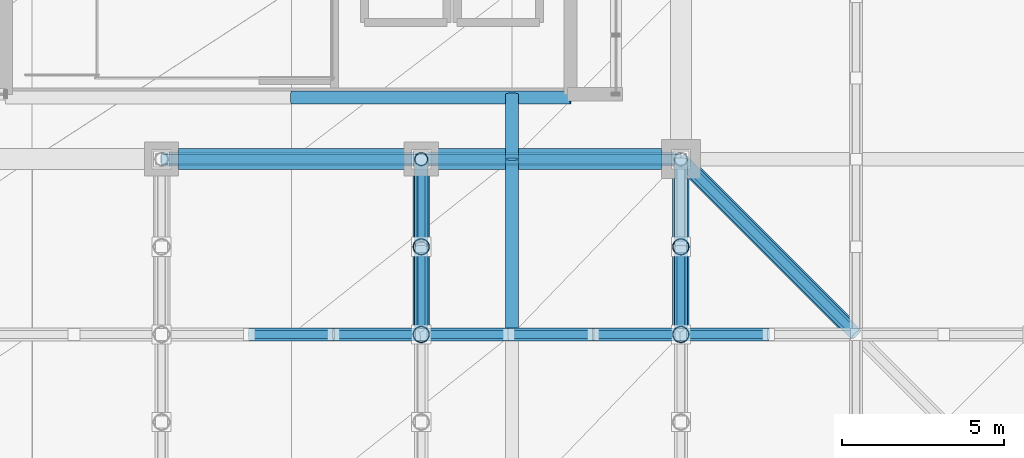
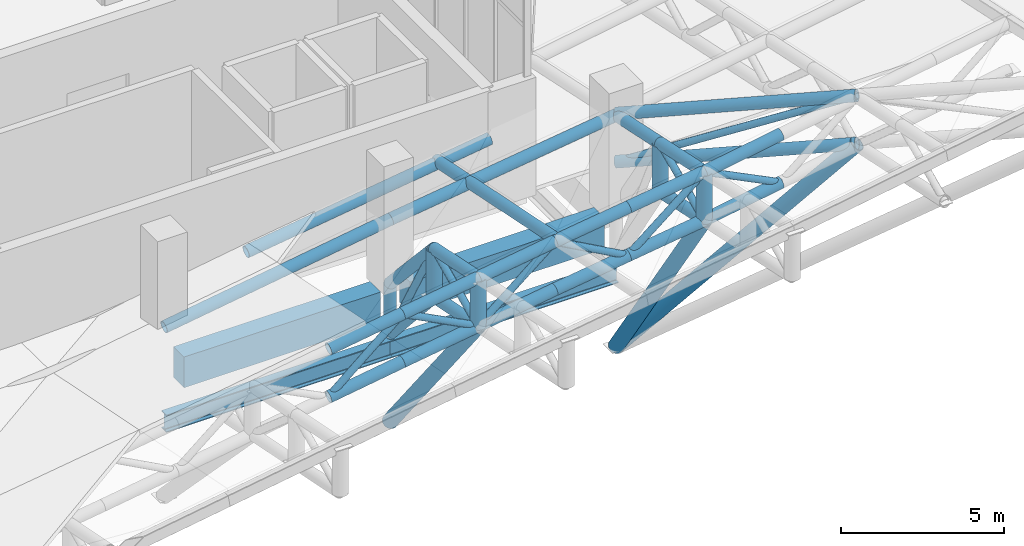
# One storey, part 62 of 137: 44 members, 4 beams.
"""IFC4 building model written with IfcOpenShell, lengths in metres."""

from ifc_helpers import new_model, si_unit, direction, frame, origin, origin_2d, place, context, subcontext, project, spatial, rectangle, hollow_circle, i_section, extrude, material, material_profile, profile_set, type_object, element, save


model = new_model("IFC4")

# Units and contexts
model_context = context("Model", 3, precision=1e-05, world=origin(), true_north=direction((0.0, 1.0)))
body_context = subcontext(model_context, "Body", "Model", "MODEL_VIEW")
ifc_project = project(units=[si_unit("LENGTHUNIT", "METRE"), si_unit("AREAUNIT", "SQUARE_METRE"), si_unit("VOLUMEUNIT", "CUBIC_METRE"), si_unit("PLANEANGLEUNIT", "RADIAN"), si_unit("MASSUNIT", "GRAM", prefix="KILO")], contexts=[model_context])

# Site, building, storey
site_placement = place(None, origin())
site = spatial("IfcSite", under=ifc_project, at=site_placement, CompositionType="ELEMENT")
building_placement = place(site_placement, origin())
building = spatial("IfcBuilding", under=site, at=building_placement, Name="Khorjan Park Terminus", CompositionType="ELEMENT")
storey_placement = place(building_placement, frame((0.0, 0.0, 11.4)))
storey = spatial("IfcBuildingStorey", under=building, at=storey_placement, Name="L02", CompositionType="ELEMENT", Elevation=11.4)

# Members
ifc_material_1 = material(Name="Steel S355", Category="steel")
ifc_material_profile_1 = material_profile(ifc_material_1, hollow_circle(Radius=0.1222, WallThickness=0.0125, at=origin_2d()), Name="CHS 244.5x12.5")
ifc_profile_set_1 = profile_set([ifc_material_profile_1], Name="Steel S355")
member_type_1 = type_object("IfcMemberType", Name="MB-BRE-245", PredefinedType="BRACE", material=ifc_profile_set_1)
member_1_placement = place(storey_placement, frame((128.0, 20.6, 1.6383), z_axis=(0.0, 0.907595020085, 0.419846733365), x_axis=(-1.0, 0.0, 0.0)))
element("IfcMember", 1, at=member_1_placement, inside=storey, type_object=member_type_1, Name="Lower shell cantilever truss diagonal (11S)", PredefinedType="BRACE", context=body_context, shape_type="SweptSolid", body=[
    extrude(hollow_circle(Radius=0.1222, WallThickness=0.0125, at=origin_2d()), origin(), (0.0, 0.0, 1.0), 2.9749),
])
member_2_placement = place(storey_placement, frame((128.0, 23.3, 2.8873), z_axis=(0.0, 0.489695395281, -0.871893582865), x_axis=(-1.0, 0.0, 0.0)))
element("IfcMember", 2, at=member_2_placement, inside=storey, type_object=member_type_1, Name="Lower shell cantilever truss diagonal (11S)", PredefinedType="BRACE", context=body_context, shape_type="SweptSolid", body=[
    extrude(hollow_circle(Radius=0.1222, WallThickness=0.0125, at=origin_2d()), origin(), (0.0, 0.0, 1.0), 5.5136),
])
member_3_placement = place(storey_placement, frame((136.0, 20.6, 2.7935), z_axis=(0.0, 0.910426516303, 0.413670833408), x_axis=(-1.0, 0.0, 0.0)))
element("IfcMember", 3, at=member_3_placement, inside=storey, type_object=member_type_1, Name="Lower shell cantilever truss diagonal (12S)", PredefinedType="BRACE", context=body_context, shape_type="SweptSolid", body=[
    extrude(hollow_circle(Radius=0.1222, WallThickness=0.0125, at=origin_2d()), origin(), (0.0, 0.0, 1.0), 2.9656),
])
member_4_placement = place(storey_placement, frame((122.7, 20.6, 0.8265), z_axis=(0.762734942907, 0.0, 0.646711223707), x_axis=(0.0, 1.0, 0.0)))
element("IfcMember", 4, at=member_4_placement, inside=storey, type_object=member_type_1, Name="Lower shell mid-ring diagonal (S33)", PredefinedType="BRACE", context=body_context, shape_type="SweptSolid", body=[
    extrude(hollow_circle(Radius=0.1222, WallThickness=0.0125, at=origin_2d()), origin(), (0.0, 0.0, 1.0), 3.4088),
])
member_5_placement = place(storey_placement, frame((125.3, 20.6, 3.031), z_axis=(0.888734443095, 0.0, -0.458422392185), x_axis=(0.0, 1.0, 0.0)))
element("IfcMember", 5, at=member_5_placement, inside=storey, type_object=member_type_1, Name="Lower shell mid-ring diagonal (S34)", PredefinedType="BRACE", context=body_context, shape_type="SweptSolid", body=[
    extrude(hollow_circle(Radius=0.1222, WallThickness=0.0125, at=origin_2d()), origin(), (0.0, 0.0, 1.0), 3.038),
])
member_6_placement = place(storey_placement, frame((128.0, 20.6, 1.6383), z_axis=(0.774208919851, 0.0, 0.63293012918), x_axis=(0.0, 1.0, 0.0)))
element("IfcMember", 6, at=member_6_placement, inside=storey, type_object=member_type_1, Name="Lower shell mid-ring diagonal (S35)", PredefinedType="BRACE", context=body_context, shape_type="SweptSolid", body=[
    extrude(hollow_circle(Radius=0.1222, WallThickness=0.0125, at=origin_2d()), origin(), (0.0, 0.0, 1.0), 3.4874),
])
member_7_placement = place(storey_placement, frame((130.7, 20.6, 3.8456), z_axis=(0.875845811731, 0.0, -0.482591042264), x_axis=(0.0, 1.0, 0.0)))
element("IfcMember", 7, at=member_7_placement, inside=storey, type_object=member_type_1, Name="Lower shell mid-ring diagonal (S36)", PredefinedType="BRACE", context=body_context, shape_type="SweptSolid", body=[
    extrude(hollow_circle(Radius=0.1222, WallThickness=0.0125, at=origin_2d()), origin(), (0.0, 0.0, 1.0), 2.9686),
])
member_8_placement = place(storey_placement, frame((133.3, 20.6, 2.413), z_axis=(0.777979098787, 0.0, 0.628290157372), x_axis=(0.0, 1.0, 0.0)))
element("IfcMember", 8, at=member_8_placement, inside=storey, type_object=member_type_1, Name="Lower shell mid-ring diagonal (S37)", PredefinedType="BRACE", context=body_context, shape_type="SweptSolid", body=[
    extrude(hollow_circle(Radius=0.1222, WallThickness=0.0125, at=origin_2d()), origin(), (0.0, 0.0, 1.0), 3.4705),
])
member_9_placement = place(storey_placement, frame((136.0, 20.6, 4.5935), z_axis=(0.895485989032, 0.0, -0.445089702697), x_axis=(0.0, 1.0, 0.0)))
element("IfcMember", 9, at=member_9_placement, inside=storey, type_object=member_type_1, Name="Lower shell mid-ring diagonal (S38)", PredefinedType="BRACE", context=body_context, shape_type="SweptSolid", body=[
    extrude(hollow_circle(Radius=0.1222, WallThickness=0.0125, at=origin_2d()), origin(), (0.0, 0.0, 1.0), 3.0151),
])
member_10_placement = place(storey_placement, frame((136.0, 26.0, 1.6951), z_axis=(0.630990520592, -0.630990520592, 0.451333497368), x_axis=(0.707106781187, 0.707106781187, 0.0)))
element("IfcMember", 10, at=member_10_placement, inside=storey, type_object=member_type_1, Name="Lower shell upturned corner truss TBE-24 (SE)", PredefinedType="BRACE", context=body_context, shape_type="SweptSolid", body=[
    extrude(hollow_circle(Radius=0.1222, WallThickness=0.0125, at=origin_2d()), origin(), (0.0, 0.0, 1.0), 8.558),
])
ifc_material_profile_2 = material_profile(ifc_material_1, hollow_circle(Radius=0.2032, WallThickness=0.016, at=origin_2d()), Name="CHS 406.4x16")
ifc_profile_set_2 = profile_set([ifc_material_profile_2], Name="Steel S355")
member_type_2 = type_object("IfcMemberType", Name="MB-CH-406", PredefinedType="CHORD", material=ifc_profile_set_2)
member_11_placement = place(storey_placement, frame((124.0, 27.9, 1.3708), z_axis=(0.99002785262, 0.0, 0.140871753866), x_axis=(0.0, 1.0, 0.0)))
element("IfcMember", 11, at=member_11_placement, inside=storey, type_object=member_type_2, Name="Lower wrapping shell rim chord (85)", PredefinedType="CHORD", context=body_context, shape_type="SweptSolid", body=[
    extrude(hollow_circle(Radius=0.2032, WallThickness=0.016, at=origin_2d()), origin(), (0.0, 0.0, 1.0), 8.6866),
])
member_12_placement = place(storey_placement, frame((130.8, 26.0, 2.7587), z_axis=(0.0, 0.979800532757, -0.199977288736), x_axis=(-1.0, 0.0, 0.0)))
element("IfcMember", 12, at=member_12_placement, inside=storey, type_object=member_type_2, Name="Lower wrapping shell rim chord (140)", PredefinedType="CHORD", context=body_context, shape_type="SweptSolid", body=[
    extrude(hollow_circle(Radius=0.2032, WallThickness=0.016, at=origin_2d()), origin(), (0.0, 0.0, 1.0), 2.0412),
])
ifc_material_profile_3 = material_profile(ifc_material_1, hollow_circle(Radius=0.2032, WallThickness=0.016, at=origin_2d()), Name="CHS 406.4x16")
ifc_profile_set_3 = profile_set([ifc_material_profile_3], Name="Steel S355")
member_type_3 = type_object("IfcMemberType", Name="MB-CHE-406", PredefinedType="CHORD", material=ifc_profile_set_3)
member_13_placement = place(storey_placement, frame((120.0, 26.0, 1.1108), z_axis=(0.988324662192, 0.0, 0.152362600735), x_axis=(0.0, 1.0, 0.0)))
element("IfcMember", 13, at=member_13_placement, inside=storey, type_object=member_type_3, Name="Lower wrapping shell rim chord (68)", PredefinedType="CHORD", context=body_context, shape_type="SweptSolid", body=[
    extrude(hollow_circle(Radius=0.2032, WallThickness=0.016, at=origin_2d()), origin(), (0.0, 0.0, 1.0), 8.0945),
])
member_14_placement = place(storey_placement, frame((128.0, 26.0, 2.3441), z_axis=(0.990628641265, 0.0, 0.136582923914), x_axis=(0.0, 1.0, 0.0)))
element("IfcMember", 14, at=member_14_placement, inside=storey, type_object=member_type_3, Name="Lower wrapping shell rim chord (69)", PredefinedType="CHORD", context=body_context, shape_type="SweptSolid", body=[
    extrude(hollow_circle(Radius=0.2032, WallThickness=0.016, at=origin_2d()), origin(), (0.0, 0.0, 1.0), 8.0757),
])
member_15_placement = place(storey_placement, frame((130.8, 20.6, 3.8607), z_axis=(0.0, 0.979805509738, -0.199952902172), x_axis=(-1.0, 0.0, 0.0)))
element("IfcMember", 15, at=member_15_placement, inside=storey, type_object=member_type_3, Name="Lower wrapping shell rim chord (139)", PredefinedType="CHORD", context=body_context, shape_type="SweptSolid", body=[
    extrude(hollow_circle(Radius=0.2032, WallThickness=0.016, at=origin_2d()), origin(), (0.0, 0.0, 1.0), 5.5113),
])
member_16_placement = place(storey_placement, frame((136.0, 20.6, 4.5935), z_axis=(0.0, 0.978199346233, -0.207668098245), x_axis=(-1.0, 0.0, 0.0)))
element("IfcMember", 16, at=member_16_placement, inside=storey, type_object=member_type_3, Name="Lower wrapping shell rim chord (151)", PredefinedType="CHORD", context=body_context, shape_type="SweptSolid", body=[
    extrude(hollow_circle(Radius=0.2032, WallThickness=0.016, at=origin_2d()), origin(), (0.0, 0.0, 1.0), 5.5203),
])
for number, where, z_axis, x_axis, name in (
    (17, (128.0, 20.6, 3.4383), (0.0, 0.979805509738, -0.199952902172), (-1.0, 0.0, 0.0), "Lower shell cantilever truss top chord (11S)"),
    (18, (128.0, 20.6, 1.6383), (0.0, 0.979805509738, -0.199952902172), (-1.0, 0.0, 0.0), "Lower shell cantilever truss bottom chord (11S)"),
):
    element("IfcMember", number, at=place(storey_placement, frame(where, z_axis=z_axis, x_axis=x_axis)), inside=storey, type_object=member_type_3, Name=name, PredefinedType="CHORD", context=body_context, shape_type="SweptSolid", body=[
        extrude(hollow_circle(Radius=0.2032, WallThickness=0.016, at=origin_2d()), origin(), (0.0, 0.0, 1.0), 2.7556),
    ])
member_17_placement = place(storey_placement, frame((128.0, 23.3, 2.8873), z_axis=(0.0, 0.676742076537, -0.736220185708), x_axis=(-1.0, 0.0, 0.0)))
element("IfcMember", 19, at=member_17_placement, inside=storey, type_object=member_type_3, Name="Lower shell cantilever truss top chord (11S)", PredefinedType="CHORD", context=body_context, shape_type="SweptSolid", body=[
    extrude(hollow_circle(Radius=0.2032, WallThickness=0.016, at=origin_2d()), origin(), (0.0, 0.0, 1.0), 3.9897),
])
member_18_placement = place(storey_placement, frame((128.0, 23.3, 1.0873), z_axis=(0.0, 0.668066106511, -0.744101926708), x_axis=(-1.0, 0.0, 0.0)))
element("IfcMember", 20, at=member_18_placement, inside=storey, type_object=member_type_3, Name="Lower shell cantilever truss bottom chord (11S)", PredefinedType="CHORD", context=body_context, shape_type="SweptSolid", body=[
    extrude(hollow_circle(Radius=0.2032, WallThickness=0.016, at=origin_2d()), origin(), (0.0, 0.0, 1.0), 4.0415),
])
for number, where, z_axis, x_axis, name in (
    (21, (136.0, 20.6, 4.5935), (0.0, 0.978199346233, -0.207668098245), (-1.0, 0.0, 0.0), "Lower shell cantilever truss top chord (12S)"),
    (22, (136.0, 20.6, 2.7935), (0.0, 0.978199346233, -0.207668098245), (-1.0, 0.0, 0.0), "Lower shell cantilever truss bottom chord (12S)"),
):
    element("IfcMember", number, at=place(storey_placement, frame(where, z_axis=z_axis, x_axis=x_axis)), inside=storey, type_object=member_type_3, Name=name, PredefinedType="CHORD", context=body_context, shape_type="SweptSolid", body=[
        extrude(hollow_circle(Radius=0.2032, WallThickness=0.016, at=origin_2d()), origin(), (0.0, 0.0, 1.0), 2.7602),
    ])
for number, where, z_axis, x_axis, name in (
    (23, (122.7, 20.6, 2.6265), (0.988113262008, 0.0, 0.153727620955), (0.0, 1.0, 0.0), "Lower shell mid-ring top chord (S33)"),
    (24, (122.7, 20.6, 0.8265), (0.988113262008, 0.0, 0.153727620955), (0.0, 1.0, 0.0), "Lower shell mid-ring bottom chord (S33)"),
):
    element("IfcMember", number, at=place(storey_placement, frame(where, z_axis=z_axis, x_axis=x_axis)), inside=storey, type_object=member_type_3, Name=name, PredefinedType="CHORD", context=body_context, shape_type="SweptSolid", body=[
        extrude(hollow_circle(Radius=0.2032, WallThickness=0.016, at=origin_2d()), origin(), (0.0, 0.0, 1.0), 2.6313),
    ])
for number, where, z_axis, x_axis, name in (
    (25, (125.3, 20.6, 3.031), (0.988812441783, 0.0, 0.149164187977), (0.0, 1.0, 0.0), "Lower shell mid-ring top chord (S34)"),
    (26, (125.3, 20.6, 1.231), (0.988812441783, 0.0, 0.149164187977), (0.0, 1.0, 0.0), "Lower shell mid-ring bottom chord (S34)"),
    (27, (128.0, 20.6, 3.4383), (0.988812441783, 0.0, 0.149164187977), (0.0, 1.0, 0.0), "Lower shell mid-ring top chord (S35)"),
    (28, (128.0, 20.6, 1.6383), (0.988812441783, 0.0, 0.149164187977), (0.0, 1.0, 0.0), "Lower shell mid-ring bottom chord (S35)"),
):
    element("IfcMember", number, at=place(storey_placement, frame(where, z_axis=z_axis, x_axis=x_axis)), inside=storey, type_object=member_type_3, Name=name, PredefinedType="CHORD", context=body_context, shape_type="SweptSolid", body=[
        extrude(hollow_circle(Radius=0.2032, WallThickness=0.016, at=origin_2d()), origin(), (0.0, 0.0, 1.0), 2.7305),
    ])
for number, where, z_axis, x_axis, name in (
    (29, (130.7, 20.6, 3.8456), (0.990163141127, 0.0, 0.139917668481), (0.0, 1.0, 0.0), "Lower shell mid-ring top chord (S36)"),
    (30, (130.7, 20.6, 2.0456), (0.990163141127, 0.0, 0.139917668481), (0.0, 1.0, 0.0), "Lower shell mid-ring bottom chord (S36)"),
):
    element("IfcMember", number, at=place(storey_placement, frame(where, z_axis=z_axis, x_axis=x_axis)), inside=storey, type_object=member_type_3, Name=name, PredefinedType="CHORD", context=body_context, shape_type="SweptSolid", body=[
        extrude(hollow_circle(Radius=0.2032, WallThickness=0.016, at=origin_2d()), origin(), (0.0, 0.0, 1.0), 2.6258),
    ])
for number, where, z_axis, x_axis, name in (
    (31, (133.3, 20.6, 4.213), (0.99021544467, 0.0, 0.139547028406), (0.0, 1.0, 0.0), "Lower shell mid-ring top chord (S37)"),
    (32, (133.3, 20.6, 2.413), (0.99021544467, 0.0, 0.139547028406), (0.0, 1.0, 0.0), "Lower shell mid-ring bottom chord (S37)"),
):
    element("IfcMember", number, at=place(storey_placement, frame(where, z_axis=z_axis, x_axis=x_axis)), inside=storey, type_object=member_type_3, Name=name, PredefinedType="CHORD", context=body_context, shape_type="SweptSolid", body=[
        extrude(hollow_circle(Radius=0.2032, WallThickness=0.016, at=origin_2d()), origin(), (0.0, 0.0, 1.0), 2.7267),
    ])
for number, where, z_axis, x_axis, name in (
    (33, (136.0, 20.6, 4.5935), (0.985916115378, 0.0, 0.167240585497), (0.0, 1.0, 0.0), "Lower shell mid-ring top chord (S38)"),
    (34, (136.0, 20.6, 2.7935), (0.985916115378, 0.0, 0.167240585497), (0.0, 1.0, 0.0), "Lower shell mid-ring bottom chord (S38)"),
):
    element("IfcMember", number, at=place(storey_placement, frame(where, z_axis=z_axis, x_axis=x_axis)), inside=storey, type_object=member_type_3, Name=name, PredefinedType="CHORD", context=body_context, shape_type="SweptSolid", body=[
        extrude(hollow_circle(Radius=0.2032, WallThickness=0.016, at=origin_2d()), origin(), (0.0, 0.0, 1.0), 2.7386),
    ])
for number, where, z_axis, x_axis, name in (
    (35, (136.0, 26.0, 3.4951), (0.682648477932, -0.682648477932, 0.260733793655), (0.707106781187, 0.707106781187, 0.0), "Lower shell upturned corner truss TCE-41 (SE)"),
    (36, (136.0, 26.0, 1.6951), (0.682648477932, -0.682648477932, 0.260733793655), (0.707106781187, 0.707106781187, 0.0), "Lower shell upturned corner truss TCE-41 (SE)"),
):
    element("IfcMember", number, at=place(storey_placement, frame(where, z_axis=z_axis, x_axis=x_axis)), inside=storey, type_object=member_type_3, Name=name, PredefinedType="CHORD", context=body_context, shape_type="SweptSolid", body=[
        extrude(hollow_circle(Radius=0.2032, WallThickness=0.016, at=origin_2d()), origin(), (0.0, 0.0, 1.0), 7.9104),
    ])
ifc_material_profile_4 = material_profile(ifc_material_1, hollow_circle(Radius=0.2032, WallThickness=0.016, at=origin_2d()), Name="CHS 406.4x16")
ifc_profile_set_4 = profile_set([ifc_material_profile_4], Name="Steel S355")
member_type_4 = type_object("IfcMemberType", Name="MB-ST-406", PredefinedType="STRUT", material=ifc_profile_set_4)
member_19_placement = place(storey_placement, frame((128.0, 26.0, -1.92), z_axis=(0.0, 0.0, 1.0), x_axis=(1.0, 0.0, 0.0)))
element("IfcMember", 37, at=member_19_placement, inside=storey, type_object=member_type_4, Name="Lower shell cantilever truss post (11S)", PredefinedType="STRUT", context=body_context, shape_type="SweptSolid", body=[
    extrude(hollow_circle(Radius=0.2032, WallThickness=0.016, at=origin_2d()), origin(), (0.0, 0.0, 1.0), 1.87),
])
ifc_material_profile_5 = material_profile(ifc_material_1, hollow_circle(Radius=0.254, WallThickness=0.02, at=origin_2d()), Name="CHS 508x20")
ifc_profile_set_5 = profile_set([ifc_material_profile_5], Name="Steel S355")
member_type_5 = type_object("IfcMemberType", Name="MB-STE-508", PredefinedType="STRUT", material=ifc_profile_set_5)
for number, where, z_axis, x_axis, name in (
    (38, (128.0, 20.6, 1.6383), (0.0, 0.0, 1.0), (1.0, 0.0, 0.0), "Lower shell cantilever truss post (11S)"),
    (39, (128.0, 23.3, 1.0873), (0.0, 0.0, 1.0), (1.0, 0.0, 0.0), "Lower shell cantilever truss post (11S)"),
):
    element("IfcMember", number, at=place(storey_placement, frame(where, z_axis=z_axis, x_axis=x_axis)), inside=storey, type_object=member_type_5, Name=name, PredefinedType="STRUT", context=body_context, shape_type="SweptSolid", body=[
        extrude(hollow_circle(Radius=0.254, WallThickness=0.02, at=origin_2d()), origin(), (0.0, 0.0, 1.0), 1.8),
    ])
member_20_placement = place(storey_placement, frame((128.0, 26.0, -5.2), z_axis=(0.0, -0.619739172064, 0.784807848208), x_axis=(1.0, 0.0, 0.0)))
element("IfcMember", 40, at=member_20_placement, inside=storey, type_object=member_type_5, Name="Lower shell raked overhang V-strut STE-51 (11S)", PredefinedType="STRUT", context=body_context, shape_type="SweptSolid", body=[
    extrude(hollow_circle(Radius=0.254, WallThickness=0.02, at=origin_2d()), origin(), (0.0, 0.0, 1.0), 8.7133),
])
for number, where, z_axis, x_axis, name in (
    (41, (136.0, 20.6, 2.7935), (0.0, 0.0, 1.0), (1.0, 0.0, 0.0), "Lower shell cantilever truss post (12S)"),
    (42, (136.0, 23.3, 2.2203), (0.0, 0.0, 1.0), (1.0, 0.0, 0.0), "Lower shell cantilever truss post (12S)"),
):
    element("IfcMember", number, at=place(storey_placement, frame(where, z_axis=z_axis, x_axis=x_axis)), inside=storey, type_object=member_type_5, Name=name, PredefinedType="STRUT", context=body_context, shape_type="SweptSolid", body=[
        extrude(hollow_circle(Radius=0.254, WallThickness=0.02, at=origin_2d()), origin(), (0.0, 0.0, 1.0), 1.8),
    ])
member_21_placement = place(storey_placement, frame((136.0, 26.0, -5.2), z_axis=(0.0, -0.559785275898, 0.82863770424), x_axis=(1.0, 0.0, 0.0)))
element("IfcMember", 43, at=member_21_placement, inside=storey, type_object=member_type_5, Name="Lower shell raked overhang V-strut STE-51 (12S)", PredefinedType="STRUT", context=body_context, shape_type="SweptSolid", body=[
    extrude(hollow_circle(Radius=0.254, WallThickness=0.02, at=origin_2d()), origin(), (0.0, 0.0, 1.0), 9.6466),
])
member_22_placement = place(storey_placement, frame((136.0, 26.0, -5.2), z_axis=(0.458750995878, -0.458750995878, 0.760982948273), x_axis=(0.707106781187, 0.707106781187, 0.0)))
element("IfcMember", 44, at=member_22_placement, inside=storey, type_object=member_type_5, Name="Lower shell upturned corner truss STE-51 (SE)", PredefinedType="STRUT", context=body_context, shape_type="SweptSolid", body=[
    extrude(hollow_circle(Radius=0.254, WallThickness=0.02, at=origin_2d()), origin(), (0.0, 0.0, 1.0), 11.7711),
])

# Beams
ifc_material_profile_6 = material_profile(ifc_material_1, i_section(OverallWidth=0.3, OverallDepth=0.65, WebThickness=0.016, FlangeThickness=0.031, FilletRadius=0.027, at=origin_2d()), Name="HEB 650")
ifc_profile_set_6 = profile_set([ifc_material_profile_6], Name="Steel S355")
beam_type_1 = type_object("IfcBeamType", Name="SP-HEB650E", PredefinedType="SPANDREL", material=ifc_profile_set_6)
for number, where, z_axis, x_axis, name in (
    (45, (120.0, 26.0, -2.425), (1.0, 0.0, 0.0), (0.0, 1.0, 0.0), "Lower shell truss support girder SP-E65 (X10)"),
    (46, (128.0, 26.0, -2.425), (1.0, 0.0, 0.0), (0.0, 1.0, 0.0), "Lower shell truss support girder SP-E65 (X11)"),
):
    element("IfcBeam", number, at=place(storey_placement, frame(where, z_axis=z_axis, x_axis=x_axis)), inside=storey, type_object=beam_type_1, Name=name, PredefinedType="SPANDREL", context=body_context, shape_type="SweptSolid", body=[
        extrude(i_section(OverallWidth=0.3, OverallDepth=0.65, WebThickness=0.016, FlangeThickness=0.031, FilletRadius=0.027, at=origin_2d()), origin(), (0.0, 0.0, 1.0), 8.0),
    ])
ifc_material_2 = material(Name="Concrete C50/60", Category="concrete")
ifc_material_profile_7 = material_profile(ifc_material_2, rectangle(XDim=0.65, YDim=1.15, at=origin_2d()), Name="RC 650x1150")
ifc_profile_set_7 = profile_set([ifc_material_profile_7], Name="Concrete C50/60")
beam_type_2 = type_object("IfcBeamType", Name="SP-RC650x1150", PredefinedType="SPANDREL", material=ifc_profile_set_7)
beam_1_placement = place(storey_placement, frame((120.52, 26.0, -0.575), z_axis=(1.0, 0.0, 0.0), x_axis=(0.0, 1.0, 0.0)))
element("IfcBeam", 47, at=beam_1_placement, inside=storey, type_object=beam_type_2, Name="Concourse lower colonnade ring beam SP-11 (L02-55)", PredefinedType="SPANDREL", context=body_context, shape_type="SweptSolid", body=[
    extrude(rectangle(XDim=0.65, YDim=1.15, at=origin_2d()), origin(), (0.0, 0.0, 1.0), 6.96),
])
beam_2_placement = place(storey_placement, frame((128.52, 26.0, -0.575), z_axis=(1.0, 0.0, 0.0), x_axis=(0.0, 1.0, 0.0)))
element("IfcBeam", 48, at=beam_2_placement, inside=storey, type_object=beam_type_2, Name="Concourse lower colonnade ring beam SP-11 (L02-57)", PredefinedType="SPANDREL", context=body_context, shape_type="SweptSolid", body=[
    extrude(rectangle(XDim=0.65, YDim=1.15, at=origin_2d()), origin(), (0.0, 0.0, 1.0), 6.885),
])

save(model, "model.ifc")
